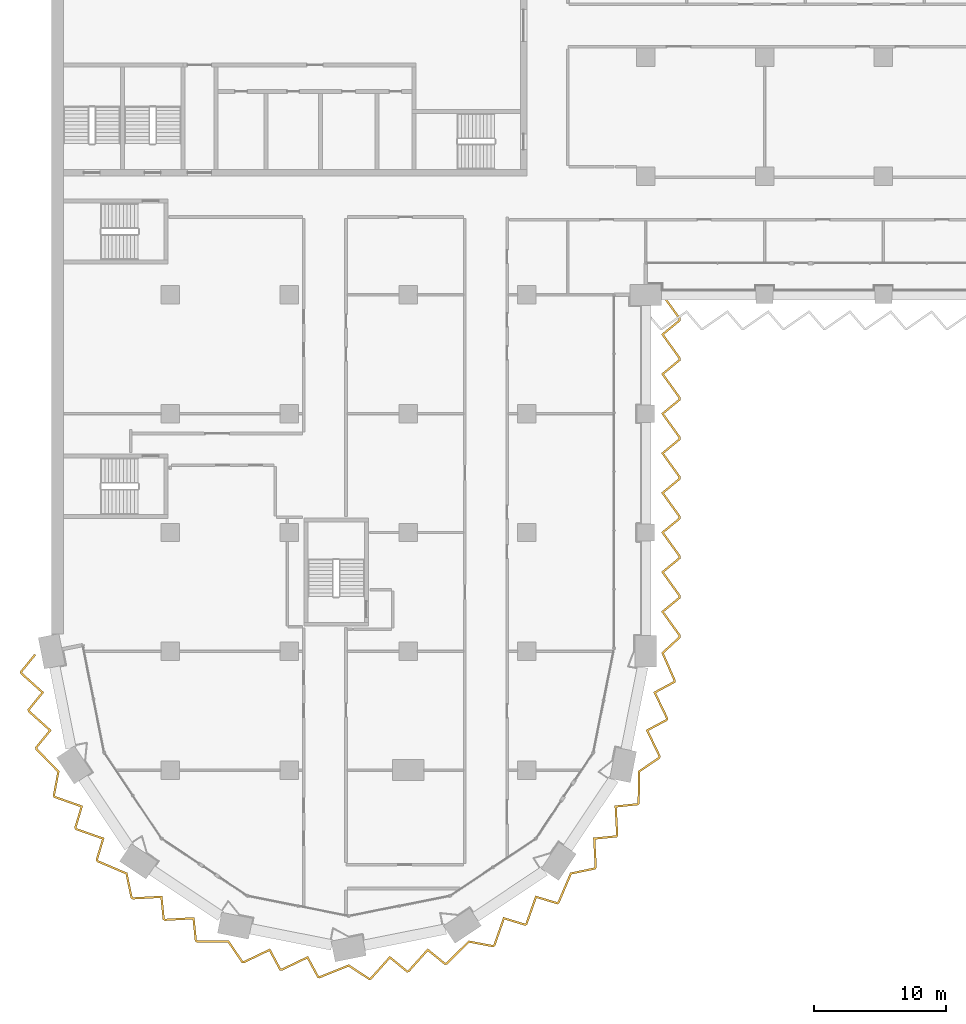
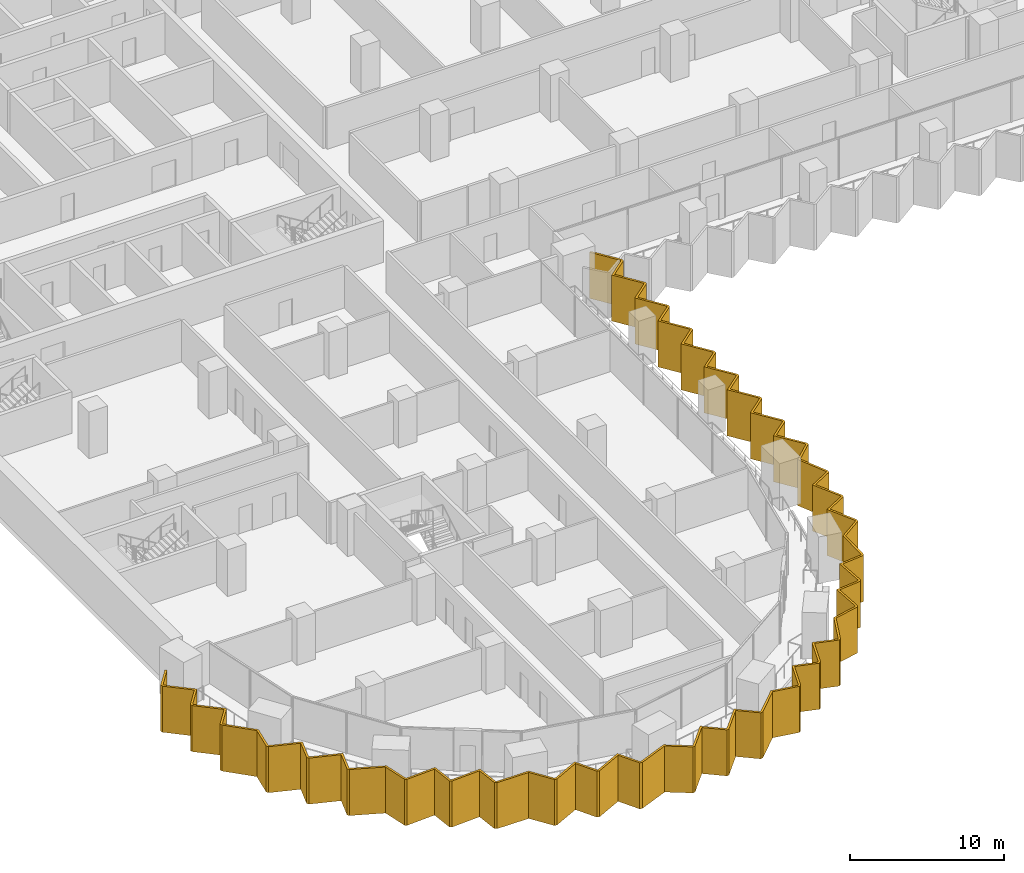
# One storey, part 24 of 29: 1 shading device.
"""IFC4 building model written with IfcOpenShell, lengths in metres."""

from ifc_helpers import new_model, si_unit, direction, frame, origin, place, context, subcontext, project, spatial, polyline, outline, extrude, material, layer, layer_set, type_object, element, save


model = new_model("IFC4")

# Units and contexts
model_context = context("Model", 3, precision=1e-05, world=origin(), true_north=direction((0.0, 1.0)))
body_context = subcontext(model_context, "Body", "Model", "MODEL_VIEW")
ifc_project = project(units=[si_unit("LENGTHUNIT", "METRE"), si_unit("AREAUNIT", "SQUARE_METRE"), si_unit("VOLUMEUNIT", "CUBIC_METRE"), si_unit("PLANEANGLEUNIT", "RADIAN"), si_unit("MASSUNIT", "GRAM", prefix="KILO")], contexts=[model_context])

# Site, building, storey
site_placement = place(None, origin())
site = spatial("IfcSite", under=ifc_project, at=site_placement, CompositionType="ELEMENT")
building_placement = place(site_placement, origin())
building = spatial("IfcBuilding", under=site, at=building_placement, Name="Hunhe Ridgeline Campus", CompositionType="ELEMENT")
storey_placement = place(building_placement, frame((0.0, 0.0, 54.300048828125)))
storey = spatial("IfcBuildingStorey", under=building, at=storey_placement, Name="L12", CompositionType="ELEMENT", Elevation=54.300048828125)

# Shading device
ifc_material = material(Name="Concrete C50", Category="concrete")
ifc_layer = layer(ifc_material, 0.14990234375)
ifc_layer_set = layer_set([ifc_layer], Name="Sawtooth concrete fin 150 Concrete C50")
shading_device_type = type_object("IfcShadingDeviceType", Name="Sawtooth concrete fin 150 Concrete C50", PredefinedType="USERDEFINED", material=ifc_layer_set)
shading_device_placement = place(storey_placement, frame((0.0, 0.0, -0.949951171875)))
element("IfcShadingDevice", 1, at=shading_device_placement, inside=storey, type_object=shading_device_type, Name="Concrete fin screen 1", ObjectType="FIN", PredefinedType="USERDEFINED", context=body_context, shape_type="SweptSolid", body=[
    extrude(outline(polyline([(-1.1923828125, 26.703857421875), (-1.30859375, 26.798583984375), (-2.396728515625, 25.4658203125), (-2.361572265625, 25.288818359375), (-0.782958984375, 23.873046875), (-1.825927734375, 22.595458984375), (-1.79052734375, 22.418701171875), (-0.212158203125, 21.0029296875), (-1.2548828125, 19.725341796875), (-1.22021484375, 19.55126953125), (0.4306640625, 17.86767578125), (0.088134765625, 16.051025390625), (0.185791015625, 15.905029296875), (2.18603515625, 15.201171875), (1.71142578125, 13.621826171875), (1.8115234375, 13.4716796875), (3.811767578125, 12.767822265625), (3.337158203125, 11.1884765625), (3.435791015625, 11.040771484375), (5.60546875, 10.1171875), (5.984130859375, 8.307861328125), (6.130126953125, 8.210205078125), (8.24755859375, 8.325439453125), (8.413330078125, 6.6845703125), (8.5634765625, 6.58447265625), (10.6806640625, 6.69970703125), (10.8466796875, 5.058837890625), (10.994384765625, 4.960205078125), (13.352294921875, 4.93701171875), (14.39453125, 3.410400390625), (14.56689453125, 3.3759765625), (16.478759765625, 4.292724609375), (17.260009765625, 2.84033203125), (17.43701171875, 2.80517578125), (19.348876953125, 3.721923828125), (20.130126953125, 2.26953125), (20.304443359375, 2.23486328125), (22.49169921875, 3.11572265625), (24.038818359375, 2.104248046875), (24.211181640625, 2.138427734375), (25.626953125, 3.717041015625), (26.904541015625, 2.674072265625), (27.081298828125, 2.70947265625), (28.4970703125, 4.287841796875), (29.774658203125, 3.2451171875), (29.94873046875, 3.27978515625), (31.63232421875, 4.9306640625), (33.448974609375, 4.588134765625), (33.594970703125, 4.685791015625), (34.298828125, 6.68603515625), (35.878173828125, 6.21142578125), (36.0283203125, 6.3115234375), (36.732177734375, 8.311767578125), (38.3115234375, 7.837158203125), (38.459228515625, 7.935791015625), (39.3828125, 10.10546875), (41.192138671875, 10.484130859375), (41.289794921875, 10.630126953125), (41.174560546875, 12.74755859375), (42.8154296875, 12.913330078125), (42.91552734375, 13.0634765625), (42.80029296875, 15.1806640625), (44.441162109375, 15.3466796875), (44.539794921875, 15.494384765625), (44.56298828125, 17.852294921875), (46.089599609375, 18.89453125), (46.1240234375, 19.06689453125), (45.207275390625, 20.978759765625), (46.65966796875, 21.760009765625), (46.69482421875, 21.93701171875), (45.778076171875, 23.848876953125), (47.23046875, 24.630126953125), (47.265380859375, 24.8056640625), (46.365234375, 26.85546875), (47.64990234375, 28.039794921875), (47.64990234375, 28.216796875), (46.376953125, 29.98681640625), (47.64990234375, 31.037353515625), (47.64990234375, 31.216796875), (46.376953125, 32.98681640625), (47.64990234375, 34.037353515625), (47.64990234375, 34.216796875), (46.376953125, 35.98681640625), (47.64990234375, 37.037353515625), (47.64990234375, 37.216796875), (46.376953125, 38.98681640625), (47.64990234375, 40.037353515625), (47.64990234375, 40.216796875), (46.376953125, 41.98681640625), (47.64990234375, 43.037353515625), (47.64990234375, 43.216796875), (46.376953125, 44.98681640625), (47.64990234375, 46.037353515625), (47.64990234375, 46.216796875), (46.376953125, 47.98681640625), (47.64990234375, 49.037353515625), (47.64990234375, 49.216796875), (46.376953125, 50.98681640625), (47.64990234375, 52.037353515625), (47.64990234375, 52.216796875), (46.3359375, 54.043701171875), (46.214111328125, 53.956298828125), (47.5, 52.16845703125), (47.5, 52.10791015625), (46.173095703125, 51.01318359375), (47.5, 49.16845703125), (47.5, 49.10791015625), (46.173095703125, 48.01318359375), (47.5, 46.16845703125), (47.5, 46.10791015625), (46.173095703125, 45.01318359375), (47.5, 43.16845703125), (47.5, 43.10791015625), (46.173095703125, 42.01318359375), (47.5, 40.16845703125), (47.5, 40.10791015625), (46.173095703125, 39.01318359375), (47.5, 37.16845703125), (47.5, 37.10791015625), (46.173095703125, 36.01318359375), (47.5, 34.16845703125), (47.5, 34.10791015625), (46.173095703125, 33.01318359375), (47.5, 31.16845703125), (47.5, 31.10791015625), (46.173095703125, 30.01318359375), (47.5, 28.16845703125), (47.5, 28.10546875), (46.184814453125, 26.893310546875), (47.109130859375, 24.78857421875), (47.09716796875, 24.728759765625), (45.5810546875, 23.913330078125), (46.537841796875, 21.917236328125), (46.5263671875, 21.858642578125), (45.010009765625, 21.043212890625), (45.967041015625, 19.047119140625), (45.95458984375, 18.98388671875), (44.413818359375, 17.93212890625), (44.390380859375, 15.54052734375), (44.355712890625, 15.48876953125), (42.642822265625, 15.3154296875), (42.762939453125, 13.105224609375), (42.72998046875, 13.0556640625), (41.01708984375, 12.88232421875), (41.13720703125, 10.671875), (41.1015625, 10.618408203125), (39.275390625, 10.236328125), (38.338623046875, 8.035888671875), (38.286865234375, 8.001220703125), (36.63818359375, 8.49658203125), (35.9033203125, 6.408447265625), (35.853759765625, 6.37548828125), (34.204833984375, 6.870849609375), (33.47021484375, 4.78271484375), (33.41650390625, 4.7470703125), (31.583251953125, 5.092529296875), (29.875732421875, 3.418212890625), (29.814697265625, 3.406005859375), (28.48095703125, 4.49462890625), (27.0029296875, 2.8466796875), (26.944580078125, 2.835205078125), (25.61083984375, 3.923828125), (24.1328125, 2.27587890625), (24.06982421875, 2.26318359375), (22.50830078125, 3.2841796875), (20.289794921875, 2.390625), (20.228759765625, 2.40283203125), (19.413330078125, 3.9189453125), (17.417236328125, 2.962158203125), (17.358642578125, 2.9736328125), (16.543212890625, 4.489990234375), (14.547119140625, 3.532958984375), (14.48388671875, 3.54541015625), (13.43212890625, 5.086181640625), (11.04052734375, 5.109619140625), (10.98876953125, 5.144287109375), (10.8154296875, 6.857177734375), (8.605224609375, 6.737060546875), (8.5556640625, 6.77001953125), (8.38232421875, 8.48291015625), (6.171875, 8.36279296875), (6.118408203125, 8.3984375), (5.736328125, 10.224609375), (3.535888671875, 11.161376953125), (3.501220703125, 11.213134765625), (3.99658203125, 12.86181640625), (1.908447265625, 13.5966796875), (1.87548828125, 13.646240234375), (2.370849609375, 15.295166015625), (0.28271484375, 16.02978515625), (0.2470703125, 16.08349609375), (0.592529296875, 17.916748046875), (-1.081787109375, 19.624267578125), (-1.093994140625, 19.685302734375), (-0.00537109375, 21.01904296875), (-1.6533203125, 22.4970703125), (-1.664794921875, 22.555419921875), (-0.576171875, 23.88916015625), (-2.22412109375, 25.3671875), (-2.23583984375, 25.425537109375), (-1.1923828125, 26.703857421875)])), origin(), (0.0, 0.0, 1.0), 3.64990234375),
])

save(model, "model.ifc")
